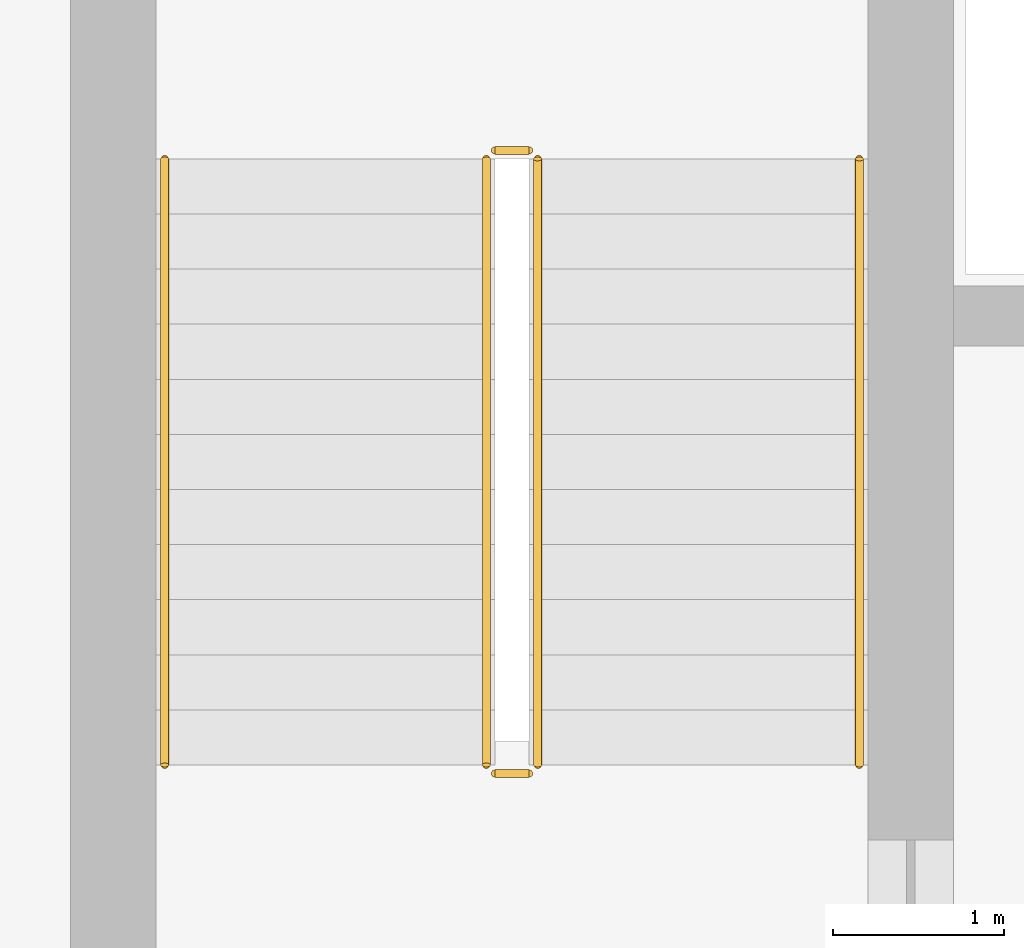
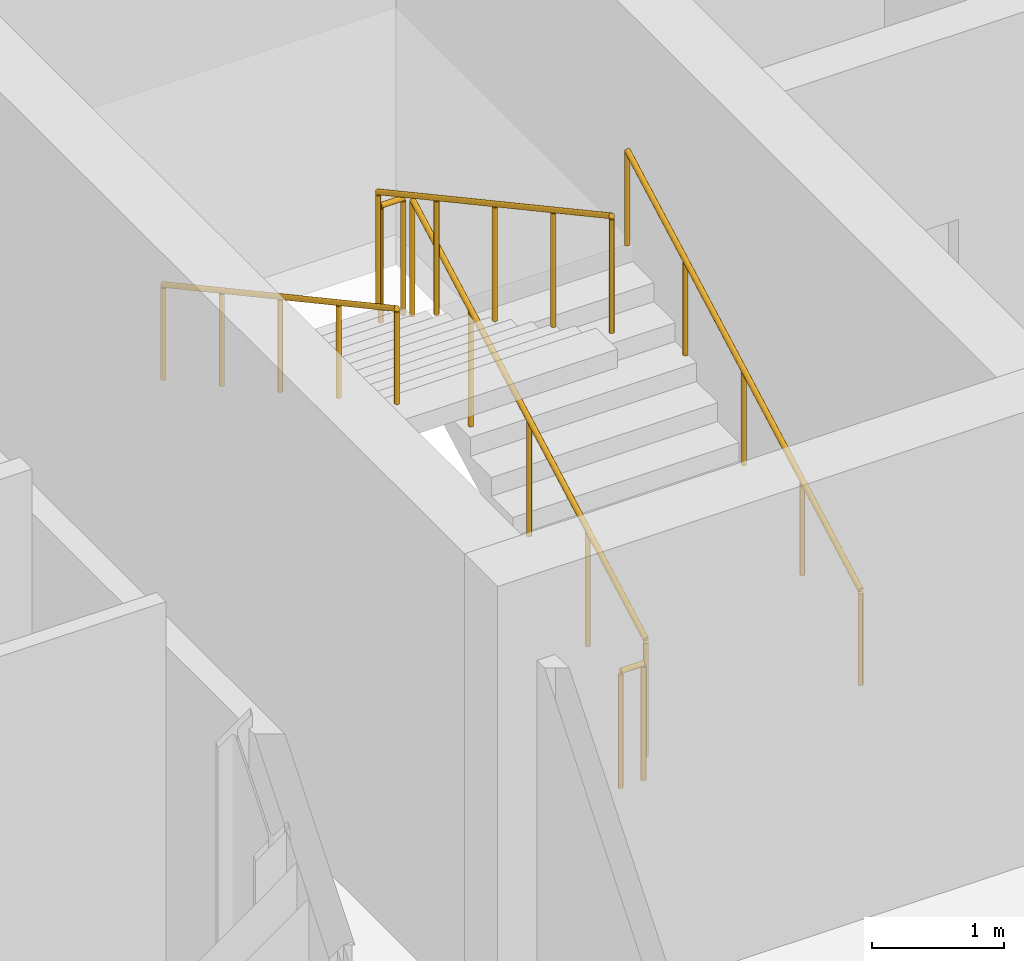
# One storey, part 53 of 58: 6 railings.
"""IFC4 building model written with IfcOpenShell, lengths in metres."""

from ifc_helpers import new_model, si_unit, direction, frame, origin, origin_2d, place, context, subcontext, project, spatial, circle, extrude, material, type_object, element, save


model = new_model("IFC4")

# Units and contexts
model_context = context("Model", 3, precision=1e-05, world=origin(), true_north=direction((0.0, 1.0)))
body_context = subcontext(model_context, "Body", "Model", "MODEL_VIEW")
ifc_project = project(units=[si_unit("LENGTHUNIT", "METRE"), si_unit("AREAUNIT", "SQUARE_METRE"), si_unit("VOLUMEUNIT", "CUBIC_METRE"), si_unit("PLANEANGLEUNIT", "RADIAN"), si_unit("MASSUNIT", "GRAM", prefix="KILO")], contexts=[model_context])

# Site, building, storey
site_placement = place(None, origin())
site = spatial("IfcSite", under=ifc_project, at=site_placement, CompositionType="ELEMENT")
building_placement = place(site_placement, origin())
building = spatial("IfcBuilding", under=site, at=building_placement, Name="Sefraquen Railside Congress Hotel", CompositionType="ELEMENT")
storey_placement = place(building_placement, frame((0.0, 0.0, 16.199951171875)))
storey = spatial("IfcBuildingStorey", under=building, at=storey_placement, Name="L03", CompositionType="ELEMENT", Elevation=16.199951171875)

# Railings
ifc_material = material(Name="Patinated wrought architectural bronze", Category="metal")
railing_type_1 = type_object("IfcRailingType", Name="TRL-BAL-110", PredefinedType="BALUSTRADE", material=ifc_material)
railing_1_placement = place(storey_placement, frame((13.330078125, 82.080078125, 0.175048828125)))
element("IfcRailing", 1, at=railing_1_placement, inside=storey, type_object=railing_type_1, Name="L03 ST-H01 stair guard 1", PredefinedType="BALUSTRADE", context=body_context, shape_type="SweptSolid", body=[
    extrude(circle(Radius=0.02392578125, at=origin_2d()), frame((0.0, 0.0, 1.076171875), z_axis=(0.0, 0.878618985891, 0.477523483854), x_axis=(-1.0, 0.0, 0.0)), (0.0, 0.0, 1.0), 4.03125),
    extrude(circle(Radius=0.02099609375, at=origin_2d()), origin(), (0.0, 0.0, 1.0), 1.052001953125),
    extrude(circle(Radius=0.02099609375, at=origin_2d()), frame((0.0, 0.885498046875, 0.481201171875)), (0.0, 0.0, 1.0), 1.052001953125),
    extrude(circle(Radius=0.02099609375, at=origin_2d()), frame((0.0, 1.77099609375, 0.96240234375)), (0.0, 0.0, 1.0), 1.052001953125),
    extrude(circle(Radius=0.02099609375, at=origin_2d()), frame((0.0, 2.656494140625, 1.44384765625)), (0.0, 0.0, 1.0), 1.052001953125),
    extrude(circle(Radius=0.02099609375, at=origin_2d()), frame((0.0, 3.5419921875, 1.925048828125)), (0.0, 0.0, 1.0), 1.052001953125),
])
railing_2_placement = place(storey_placement, frame((13.280029296875, 85.672119140625, 2.10009765625)))
element("IfcRailing", 2, at=railing_2_placement, inside=storey, type_object=railing_type_1, Name="L03 ST-H01 stair guard 2", PredefinedType="BALUSTRADE", context=body_context, shape_type="SweptSolid", body=[
    extrude(circle(Radius=0.02392578125, at=origin_2d()), frame((0.0, 0.0, 1.076171875), z_axis=(-1.0, 0.0, 0.0), x_axis=(0.0, -1.0, 0.0)), (0.0, 0.0, 1.0), 0.199951171875),
    extrude(circle(Radius=0.02099609375, at=origin_2d()), origin(), (0.0, 0.0, 1.0), 1.052001953125),
    extrude(circle(Radius=0.02099609375, at=origin_2d()), frame((-0.199951171875, 0.0, 0.0)), (0.0, 0.0, 1.0), 1.052001953125),
])
railing_3_placement = place(storey_placement, frame((13.030029296875, 85.6220703125, 2.275146484375)))
element("IfcRailing", 3, at=railing_3_placement, inside=storey, type_object=railing_type_1, Name="L03 ST-H01 stair guard 3", PredefinedType="BALUSTRADE", context=body_context, shape_type="SweptSolid", body=[
    extrude(circle(Radius=0.02392578125, at=origin_2d()), frame((0.0, 0.0, 1.076171875), z_axis=(0.0, -0.878644394428, 0.477476730471), x_axis=(1.0, 0.0, 0.0)), (0.0, 0.0, 1.0), 4.03125),
    extrude(circle(Radius=0.02099609375, at=origin_2d()), origin(), (0.0, 0.0, 1.0), 1.052001953125),
    extrude(circle(Radius=0.02099609375, at=origin_2d()), frame((0.0, -0.885498046875, 0.481201171875)), (0.0, 0.0, 1.0), 1.052001953125),
    extrude(circle(Radius=0.02099609375, at=origin_2d()), frame((0.0, -1.77099609375, 0.96240234375)), (0.0, 0.0, 1.0), 1.052001953125),
    extrude(circle(Radius=0.02099609375, at=origin_2d()), frame((0.0, -2.656494140625, 1.443603515625)), (0.0, 0.0, 1.0), 1.052001953125),
    extrude(circle(Radius=0.02099609375, at=origin_2d()), frame((0.0, -3.5419921875, 1.9248046875)), (0.0, 0.0, 1.0), 1.052001953125),
])
railing_4_placement = place(storey_placement, frame((13.280029296875, 82.030029296875, 0.0)))
element("IfcRailing", 4, at=railing_4_placement, inside=storey, type_object=railing_type_1, Name="L03 ST-H01 stair guard 4", PredefinedType="BALUSTRADE", context=body_context, shape_type="SweptSolid", body=[
    extrude(circle(Radius=0.02392578125, at=origin_2d()), frame((0.0, 0.0, 1.076171875), z_axis=(-1.0, 0.0, 0.0), x_axis=(0.0, -1.0, 0.0)), (0.0, 0.0, 1.0), 0.199951171875),
    extrude(circle(Radius=0.02099609375, at=origin_2d()), origin(), (0.0, 0.0, 1.0), 1.052001953125),
    extrude(circle(Radius=0.02099609375, at=origin_2d()), frame((-0.199951171875, 0.0, 0.0)), (0.0, 0.0, 1.0), 1.052001953125),
])
railing_type_2 = type_object("IfcRailingType", Name="TRL-HR-090", PredefinedType="HANDRAIL", material=ifc_material)
railing_5_placement = place(storey_placement, frame((15.2099609375, 82.080078125, 0.175048828125)))
element("IfcRailing", 5, at=railing_5_placement, inside=storey, type_object=railing_type_2, Name="L03 ST-H01 stair handrail 1", PredefinedType="HANDRAIL", context=body_context, shape_type="SweptSolid", body=[
    extrude(circle(Radius=0.02392578125, at=origin_2d()), frame((0.0, 0.0, 0.8759765625), z_axis=(0.0, 0.878618985891, 0.477523483854), x_axis=(-1.0, 0.0, 0.0)), (0.0, 0.0, 1.0), 4.03125),
    extrude(circle(Radius=0.02099609375, at=origin_2d()), origin(), (0.0, 0.0, 1.0), 0.851806640625),
    extrude(circle(Radius=0.02099609375, at=origin_2d()), frame((0.0, 0.885498046875, 0.481201171875)), (0.0, 0.0, 1.0), 0.851806640625),
    extrude(circle(Radius=0.02099609375, at=origin_2d()), frame((0.0, 1.77099609375, 0.96240234375)), (0.0, 0.0, 1.0), 0.851806640625),
    extrude(circle(Radius=0.02099609375, at=origin_2d()), frame((0.0, 2.656494140625, 1.44384765625)), (0.0, 0.0, 1.0), 0.851806640625),
    extrude(circle(Radius=0.02099609375, at=origin_2d()), frame((0.0, 3.5419921875, 1.925048828125)), (0.0, 0.0, 1.0), 0.851806640625),
])
railing_6_placement = place(storey_placement, frame((11.14990234375, 85.6220703125, 2.275146484375)))
element("IfcRailing", 6, at=railing_6_placement, inside=storey, type_object=railing_type_2, Name="L03 ST-H01 stair handrail 2", PredefinedType="HANDRAIL", context=body_context, shape_type="SweptSolid", body=[
    extrude(circle(Radius=0.02392578125, at=origin_2d()), frame((0.0, 0.0, 0.8759765625), z_axis=(0.0, -0.878644394428, 0.477476730471), x_axis=(1.0, 0.0, 0.0)), (0.0, 0.0, 1.0), 4.03125),
    extrude(circle(Radius=0.02099609375, at=origin_2d()), origin(), (0.0, 0.0, 1.0), 0.851806640625),
    extrude(circle(Radius=0.02099609375, at=origin_2d()), frame((0.0, -0.885498046875, 0.481201171875)), (0.0, 0.0, 1.0), 0.851806640625),
    extrude(circle(Radius=0.02099609375, at=origin_2d()), frame((0.0, -1.77099609375, 0.96240234375)), (0.0, 0.0, 1.0), 0.851806640625),
    extrude(circle(Radius=0.02099609375, at=origin_2d()), frame((0.0, -2.656494140625, 1.443603515625)), (0.0, 0.0, 1.0), 0.851806640625),
    extrude(circle(Radius=0.02099609375, at=origin_2d()), frame((0.0, -3.5419921875, 1.9248046875)), (0.0, 0.0, 1.0), 0.851806640625),
])

save(model, "model.ifc")
